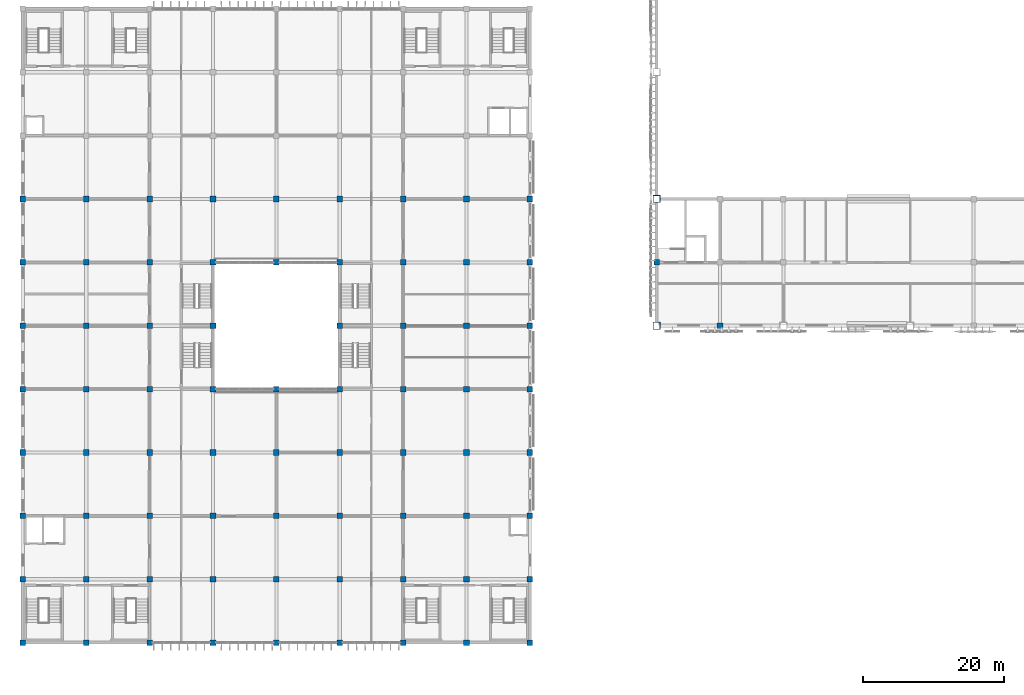
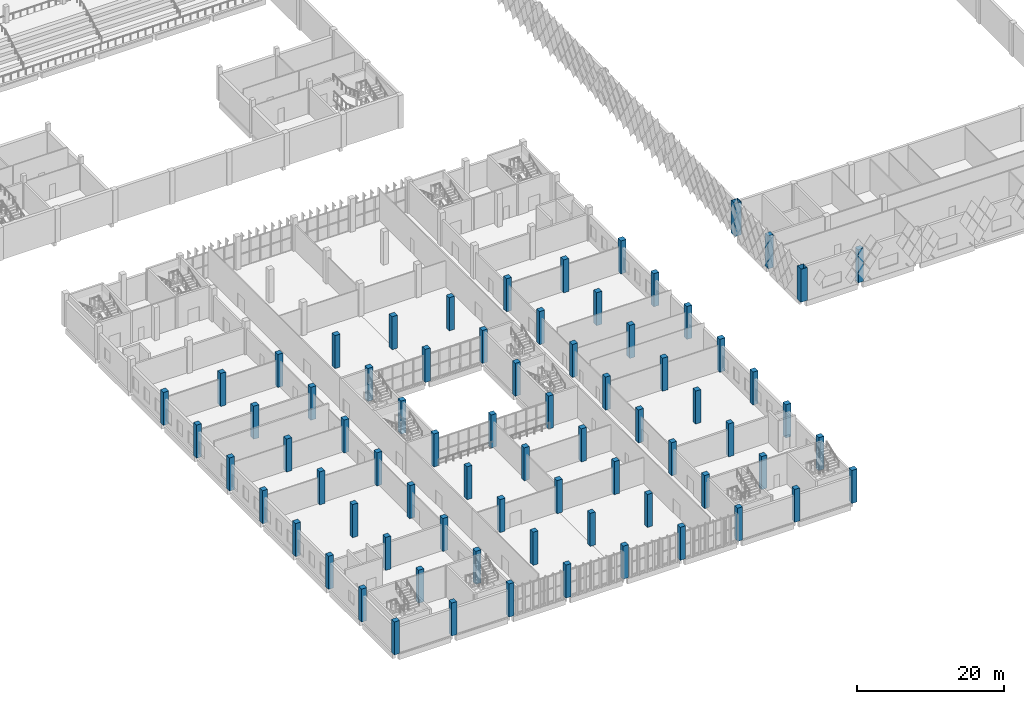
# One storey, part 1 of 185: 75 columns.
"""IFC4 building model written with IfcOpenShell, lengths in metres."""

from ifc_helpers import new_model, si_unit, direction, frame, origin, origin_2d, place, context, subcontext, project, spatial, rectangle, hollow_rectangle, extrude, material, material_profile, profile_set, type_object, element, save


model = new_model("IFC4")

# Units and contexts
model_context = context("Model", 3, precision=1e-05, world=origin(), true_north=direction((0.0, 1.0)))
body_context = subcontext(model_context, "Body", "Model", "MODEL_VIEW")
ifc_project = project(units=[si_unit("LENGTHUNIT", "METRE"), si_unit("AREAUNIT", "SQUARE_METRE"), si_unit("VOLUMEUNIT", "CUBIC_METRE"), si_unit("PLANEANGLEUNIT", "RADIAN"), si_unit("MASSUNIT", "GRAM", prefix="KILO")], contexts=[model_context])

# Site, building, storey
site_placement = place(None, origin())
site = spatial("IfcSite", under=ifc_project, at=site_placement, CompositionType="ELEMENT")
building_placement = place(site_placement, origin())
building = spatial("IfcBuilding", under=site, at=building_placement, Name="Opaline Strait Convention Centre", CompositionType="ELEMENT")
storey_placement = place(building_placement, frame((0.0, 0.0, 6.0)))
storey = spatial("IfcBuildingStorey", under=building, at=storey_placement, Name="L01", CompositionType="ELEMENT", Elevation=6.0)

# Columns
ifc_material_1 = material(Name="Steel Q355B", Category="steel")
ifc_material_profile_1 = material_profile(ifc_material_1, hollow_rectangle(XDim=1.0, YDim=1.0, WallThickness=0.031982421875, at=origin_2d()), Name="BOX 1000x1000x32")
ifc_profile_set_1 = profile_set([ifc_material_profile_1], Name="Steel Q355B")
column_type_1 = type_object("IfcColumnType", Name="CFT column BOX 1000x1000x32 C60 fill", PredefinedType="COLUMN", material=ifc_profile_set_1)
for number, where, z_axis, x_axis, name in (
    (1, (99.0, 54.0, 0.0), (0.0, 0.0, 1.0), (1.0, 0.0, 0.0), "Roof column XC-01"),
    (2, (99.0, 72.0, 0.0), (0.0, 0.0, 1.0), (1.0, 0.0, 0.0), "Roof column XC-02"),
):
    element("IfcColumn", number, at=place(storey_placement, frame(where, z_axis=z_axis, x_axis=x_axis)), inside=storey, type_object=column_type_1, Name=name, ObjectType="XC1", PredefinedType="COLUMN", context=body_context, shape_type="SweptSolid", body=[
        extrude(hollow_rectangle(XDim=1.0, YDim=1.0, WallThickness=0.031982421875, at=origin_2d()), origin(), (0.0, 0.0, 1.0), 5.5),
    ])
ifc_material_2 = material(Name="Concrete C40", Category="concrete")
ifc_material_profile_2 = material_profile(ifc_material_2, rectangle(XDim=0.800048828125, YDim=0.800048828125, at=origin_2d()), Name="RC 800x800")
ifc_profile_set_2 = profile_set([ifc_material_profile_2], Name="Concrete C40")
column_type_2 = type_object("IfcColumnType", Name="RC column 800x800 C40", PredefinedType="COLUMN", material=ifc_profile_set_2)
for number, where, z_axis, x_axis, name in (
    (3, (108.0, 54.0, 0.0), (0.0, 0.0, 1.0), (1.0, 0.0, 0.0), "Strip column XC-31"),
    (4, (99.0, 63.0, 0.0), (0.0, 0.0, 1.0), (1.0, 0.0, 0.0), "Strip column XC-37"),
):
    element("IfcColumn", number, at=place(storey_placement, frame(where, z_axis=z_axis, x_axis=x_axis)), inside=storey, type_object=column_type_2, Name=name, ObjectType="XC2", PredefinedType="COLUMN", context=body_context, shape_type="SweptSolid", body=[
        extrude(rectangle(XDim=0.800048828125, YDim=0.800048828125, at=origin_2d()), origin(), (0.0, 0.0, 1.0), 5.5),
    ])
for number, where, z_axis, x_axis, name in (
    (5, (9.0, 9.0, 0.0), (0.0, 0.0, 1.0), (1.0, 0.0, 0.0), "RC1 L01 at 9/9"),
    (6, (9.0, 18.0, 0.0), (0.0, 0.0, 1.0), (1.0, 0.0, 0.0), "RC1 L01 at 9/18"),
    (7, (9.0, 27.0, 0.0), (0.0, 0.0, 1.0), (1.0, 0.0, 0.0), "RC1 L01 at 9/27"),
    (8, (9.0, 36.0, 0.0), (0.0, 0.0, 1.0), (1.0, 0.0, 0.0), "RC1 L01 at 9/36"),
    (9, (9.0, 45.0, 0.0), (0.0, 0.0, 1.0), (1.0, 0.0, 0.0), "RC1 L01 at 9/45"),
    (10, (9.0, 54.0, 0.0), (0.0, 0.0, 1.0), (1.0, 0.0, 0.0), "RC1 L01 at 9/54"),
    (11, (9.0, 63.0, 0.0), (0.0, 0.0, 1.0), (1.0, 0.0, 0.0), "RC1 L01 at 9/63"),
    (12, (9.0, 72.0, 0.0), (0.0, 0.0, 1.0), (1.0, 0.0, 0.0), "RC1 L01 at 9/72"),
    (13, (18.0, 9.0, 0.0), (0.0, 0.0, 1.0), (1.0, 0.0, 0.0), "RC1 L01 at 18/9"),
    (14, (18.0, 18.0, 0.0), (0.0, 0.0, 1.0), (1.0, 0.0, 0.0), "RC1 L01 at 18/18"),
    (15, (18.0, 27.0, 0.0), (0.0, 0.0, 1.0), (1.0, 0.0, 0.0), "RC1 L01 at 18/27"),
    (16, (18.0, 36.0, 0.0), (0.0, 0.0, 1.0), (1.0, 0.0, 0.0), "RC1 L01 at 18/36"),
    (17, (18.0, 45.0, 0.0), (0.0, 0.0, 1.0), (1.0, 0.0, 0.0), "RC1 L01 at 18/45"),
    (18, (18.0, 54.0, 0.0), (0.0, 0.0, 1.0), (1.0, 0.0, 0.0), "RC1 L01 at 18/54"),
    (19, (18.0, 63.0, 0.0), (0.0, 0.0, 1.0), (1.0, 0.0, 0.0), "RC1 L01 at 18/63"),
    (20, (18.0, 72.0, 0.0), (0.0, 0.0, 1.0), (1.0, 0.0, 0.0), "RC1 L01 at 18/72"),
    (21, (27.0, 9.0, 0.0), (0.0, 0.0, 1.0), (1.0, 0.0, 0.0), "RC1 L01 at 27/9"),
    (22, (27.0, 18.0, 0.0), (0.0, 0.0, 1.0), (1.0, 0.0, 0.0), "RC1 L01 at 27/18"),
    (23, (27.0, 27.0, 0.0), (0.0, 0.0, 1.0), (1.0, 0.0, 0.0), "RC1 L01 at 27/27"),
    (24, (27.0, 36.0, 0.0), (0.0, 0.0, 1.0), (1.0, 0.0, 0.0), "RC1 L01 at 27/36"),
    (25, (27.0, 45.0, 0.0), (0.0, 0.0, 1.0), (1.0, 0.0, 0.0), "RC1 L01 at 27/45"),
    (26, (27.0, 54.0, 0.0), (0.0, 0.0, 1.0), (1.0, 0.0, 0.0), "RC1 L01 at 27/54"),
    (27, (27.0, 63.0, 0.0), (0.0, 0.0, 1.0), (1.0, 0.0, 0.0), "RC1 L01 at 27/63"),
    (28, (27.0, 72.0, 0.0), (0.0, 0.0, 1.0), (1.0, 0.0, 0.0), "RC1 L01 at 27/72"),
    (29, (36.0, 9.0, 0.0), (0.0, 0.0, 1.0), (1.0, 0.0, 0.0), "RC1 L01 at 36/9"),
    (30, (36.0, 18.0, 0.0), (0.0, 0.0, 1.0), (1.0, 0.0, 0.0), "RC1 L01 at 36/18"),
    (31, (36.0, 27.0, 0.0), (0.0, 0.0, 1.0), (1.0, 0.0, 0.0), "RC1 L01 at 36/27"),
    (32, (36.0, 36.0, 0.0), (0.0, 0.0, 1.0), (1.0, 0.0, 0.0), "RC1 L01 at 36/36"),
    (33, (36.0, 45.0, 0.0), (0.0, 0.0, 1.0), (1.0, 0.0, 0.0), "RC1 L01 at 36/45"),
    (34, (36.0, 54.0, 0.0), (0.0, 0.0, 1.0), (1.0, 0.0, 0.0), "RC1 L01 at 36/54"),
    (35, (36.0, 63.0, 0.0), (0.0, 0.0, 1.0), (1.0, 0.0, 0.0), "RC1 L01 at 36/63"),
    (36, (36.0, 72.0, 0.0), (0.0, 0.0, 1.0), (1.0, 0.0, 0.0), "RC1 L01 at 36/72"),
    (37, (45.0, 9.0, 0.0), (0.0, 0.0, 1.0), (1.0, 0.0, 0.0), "RC1 L01 at 45/9"),
    (38, (45.0, 18.0, 0.0), (0.0, 0.0, 1.0), (1.0, 0.0, 0.0), "RC1 L01 at 45/18"),
    (39, (45.0, 27.0, 0.0), (0.0, 0.0, 1.0), (1.0, 0.0, 0.0), "RC1 L01 at 45/27"),
    (40, (45.0, 36.0, 0.0), (0.0, 0.0, 1.0), (1.0, 0.0, 0.0), "RC1 L01 at 45/36"),
    (41, (45.0, 45.0, 0.0), (0.0, 0.0, 1.0), (1.0, 0.0, 0.0), "RC1 L01 at 45/45"),
    (42, (45.0, 63.0, 0.0), (0.0, 0.0, 1.0), (1.0, 0.0, 0.0), "RC1 L01 at 45/63"),
    (43, (45.0, 72.0, 0.0), (0.0, 0.0, 1.0), (1.0, 0.0, 0.0), "RC1 L01 at 45/72"),
    (44, (54.0, 9.0, 0.0), (0.0, 0.0, 1.0), (1.0, 0.0, 0.0), "RC1 L01 at 54/9"),
    (45, (54.0, 18.0, 0.0), (0.0, 0.0, 1.0), (1.0, 0.0, 0.0), "RC1 L01 at 54/18"),
    (46, (54.0, 27.0, 0.0), (0.0, 0.0, 1.0), (1.0, 0.0, 0.0), "RC1 L01 at 54/27"),
    (47, (54.0, 36.0, 0.0), (0.0, 0.0, 1.0), (1.0, 0.0, 0.0), "RC1 L01 at 54/36"),
    (48, (54.0, 45.0, 0.0), (0.0, 0.0, 1.0), (1.0, 0.0, 0.0), "RC1 L01 at 54/45"),
    (49, (54.0, 54.0, 0.0), (0.0, 0.0, 1.0), (1.0, 0.0, 0.0), "RC1 L01 at 54/54"),
    (50, (54.0, 63.0, 0.0), (0.0, 0.0, 1.0), (1.0, 0.0, 0.0), "RC1 L01 at 54/63"),
    (51, (54.0, 72.0, 0.0), (0.0, 0.0, 1.0), (1.0, 0.0, 0.0), "RC1 L01 at 54/72"),
    (52, (63.0, 9.0, 0.0), (0.0, 0.0, 1.0), (1.0, 0.0, 0.0), "RC1 L01 at 63/9"),
    (53, (63.0, 18.0, 0.0), (0.0, 0.0, 1.0), (1.0, 0.0, 0.0), "RC1 L01 at 63/18"),
    (54, (63.0, 27.0, 0.0), (0.0, 0.0, 1.0), (1.0, 0.0, 0.0), "RC1 L01 at 63/27"),
    (55, (63.0, 36.0, 0.0), (0.0, 0.0, 1.0), (1.0, 0.0, 0.0), "RC1 L01 at 63/36"),
    (56, (63.0, 45.0, 0.0), (0.0, 0.0, 1.0), (1.0, 0.0, 0.0), "RC1 L01 at 63/45"),
    (57, (63.0, 54.0, 0.0), (0.0, 0.0, 1.0), (1.0, 0.0, 0.0), "RC1 L01 at 63/54"),
    (58, (63.0, 63.0, 0.0), (0.0, 0.0, 1.0), (1.0, 0.0, 0.0), "RC1 L01 at 63/63"),
    (59, (63.0, 72.0, 0.0), (0.0, 0.0, 1.0), (1.0, 0.0, 0.0), "RC1 L01 at 63/72"),
    (60, (72.0, 9.0, 0.0), (0.0, 0.0, 1.0), (1.0, 0.0, 0.0), "RC1 L01 at 72/9"),
    (61, (72.0, 18.0, 0.0), (0.0, 0.0, 1.0), (1.0, 0.0, 0.0), "RC1 L01 at 72/18"),
    (62, (72.0, 27.0, 0.0), (0.0, 0.0, 1.0), (1.0, 0.0, 0.0), "RC1 L01 at 72/27"),
    (63, (72.0, 36.0, 0.0), (0.0, 0.0, 1.0), (1.0, 0.0, 0.0), "RC1 L01 at 72/36"),
    (64, (72.0, 45.0, 0.0), (0.0, 0.0, 1.0), (1.0, 0.0, 0.0), "RC1 L01 at 72/45"),
    (65, (72.0, 54.0, 0.0), (0.0, 0.0, 1.0), (1.0, 0.0, 0.0), "RC1 L01 at 72/54"),
    (66, (72.0, 63.0, 0.0), (0.0, 0.0, 1.0), (1.0, 0.0, 0.0), "RC1 L01 at 72/63"),
    (67, (72.0, 72.0, 0.0), (0.0, 0.0, 1.0), (1.0, 0.0, 0.0), "RC1 L01 at 72/72"),
    (68, (81.0, 9.0, 0.0), (0.0, 0.0, 1.0), (1.0, 0.0, 0.0), "RC1 L01 at 81/9"),
    (69, (81.0, 18.0, 0.0), (0.0, 0.0, 1.0), (1.0, 0.0, 0.0), "RC1 L01 at 81/18"),
    (70, (81.0, 27.0, 0.0), (0.0, 0.0, 1.0), (1.0, 0.0, 0.0), "RC1 L01 at 81/27"),
    (71, (81.0, 36.0, 0.0), (0.0, 0.0, 1.0), (1.0, 0.0, 0.0), "RC1 L01 at 81/36"),
    (72, (81.0, 45.0, 0.0), (0.0, 0.0, 1.0), (1.0, 0.0, 0.0), "RC1 L01 at 81/45"),
    (73, (81.0, 54.0, 0.0), (0.0, 0.0, 1.0), (1.0, 0.0, 0.0), "RC1 L01 at 81/54"),
    (74, (81.0, 63.0, 0.0), (0.0, 0.0, 1.0), (1.0, 0.0, 0.0), "RC1 L01 at 81/63"),
    (75, (81.0, 72.0, 0.0), (0.0, 0.0, 1.0), (1.0, 0.0, 0.0), "RC1 L01 at 81/72"),
):
    element("IfcColumn", number, at=place(storey_placement, frame(where, z_axis=z_axis, x_axis=x_axis)), inside=storey, type_object=column_type_2, Name=name, PredefinedType="COLUMN", context=body_context, shape_type="SweptSolid", body=[
        extrude(rectangle(XDim=0.800048828125, YDim=0.800048828125, at=origin_2d()), origin(), (0.0, 0.0, 1.0), 5.5),
    ])

save(model, "model.ifc")
